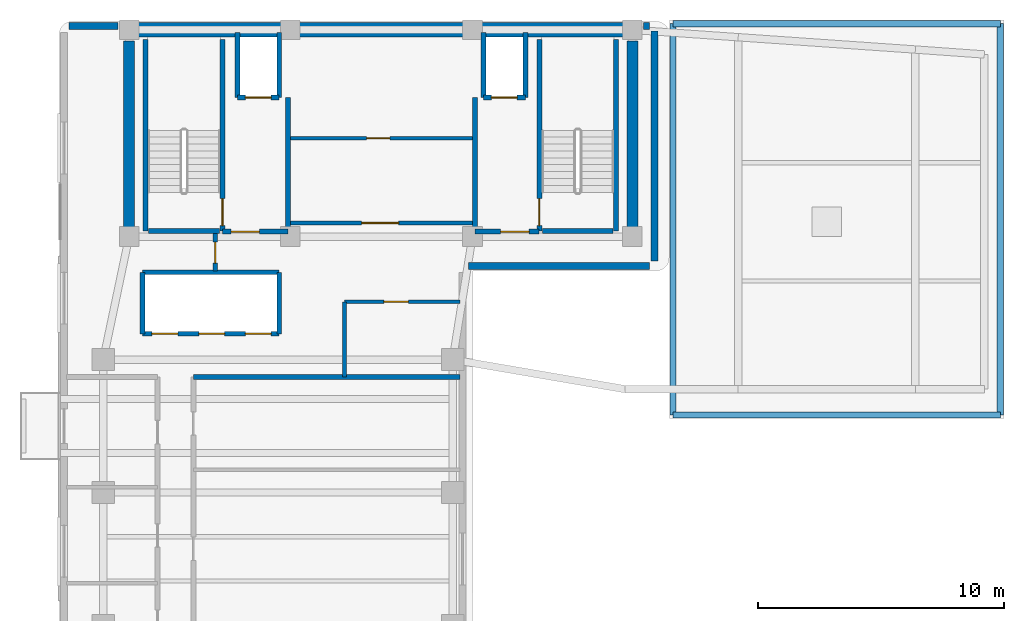
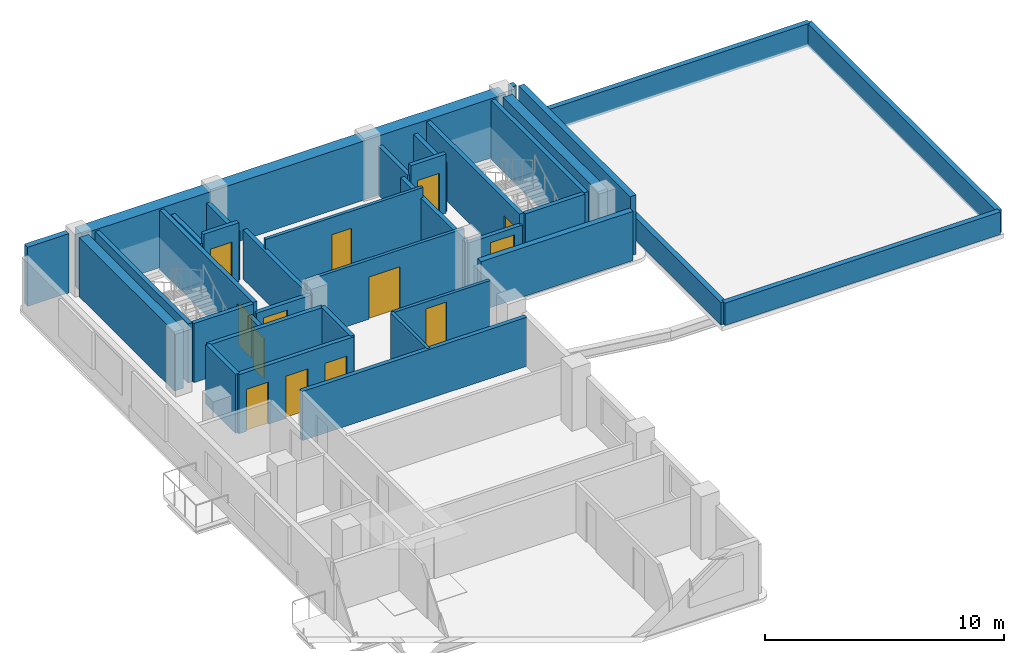
# One storey, part 3 of 6: 37 walls, 13 doors, 13 openings.
"""IFC4 building model written with IfcOpenShell, lengths in metres."""

from ifc_helpers import new_model, si_unit, direction, frame, frame_2d, origin, place, context, subcontext, project, spatial, rectangle, extrude, material, layer, layer_set, type_object, element, fill, save


model = new_model("IFC4")

# Units and contexts
model_context = context("Model", 3, precision=1e-05, world=origin(), true_north=direction((0.0, 1.0)))
body_context = subcontext(model_context, "Body", "Model", "MODEL_VIEW")
ifc_project = project(units=[si_unit("LENGTHUNIT", "METRE"), si_unit("AREAUNIT", "SQUARE_METRE"), si_unit("VOLUMEUNIT", "CUBIC_METRE"), si_unit("PLANEANGLEUNIT", "RADIAN"), si_unit("MASSUNIT", "GRAM", prefix="KILO")], contexts=[model_context])

# Site, building, storey
site_placement = place(None, origin())
site = spatial("IfcSite", under=ifc_project, at=site_placement, CompositionType="ELEMENT")
building_placement = place(site_placement, origin())
building = spatial("IfcBuilding", under=site, at=building_placement, Name="Kuzgunbayir Cultural Tower", CompositionType="ELEMENT")
storey_placement = place(building_placement, frame((0.0, 0.0, 204.800048828125)))
storey = spatial("IfcBuildingStorey", under=building, at=storey_placement, Name="L60", CompositionType="ELEMENT", Elevation=204.800048828125)

# Walls
ifc_material_1 = material(Name="Concrete C50/60", Category="concrete")
ifc_layer_1 = layer(ifc_material_1, 0.449951171875)
ifc_layer_set_1 = layer_set([ifc_layer_1], Name="Concrete C50/60")
wall_type_1 = type_object("IfcWallType", Name="WAL-CORE-450", PredefinedType="SHEAR", material=ifc_layer_set_1)
for number, where, z_axis, x_axis, name in (
    (1, (6.449951171875, 33.800048828125, 0.0), (0.0, 0.0, 1.0), (0.0, 1.0, 0.0), "L60 T1 Core West Shear Wall"),
    (2, (26.89990234375, 33.800048828125, 0.0), (0.0, 0.0, 1.0), (0.0, 1.0, 0.0), "L60 T1 Core East Shear Wall"),
):
    element("IfcWall", number, at=place(storey_placement, frame(where, z_axis=z_axis, x_axis=x_axis)), inside=storey, type_object=wall_type_1, Name=name, PredefinedType="SHEAR", context=body_context, shape_type="SweptSolid", body=[
        extrude(rectangle(XDim=7.949951171875, YDim=0.449951171875, at=frame_2d((3.97509765625, 0.0))), origin(), (0.0, 0.0, 1.0), 3.02001953125),
    ])
ifc_material_2 = material(Name="Concrete C60/75", Category="concrete")
ifc_layer_2 = layer(ifc_material_2, 0.60009765625)
ifc_layer_set_2 = layer_set([ifc_layer_2], Name="Concrete C60/75")
wall_type_2 = type_object("IfcWallType", Name="WAL-CORE-600", PredefinedType="SHEAR", material=ifc_layer_set_2)
wall_1_placement = place(storey_placement, frame((6.449951171875, 42.199951171875, 0.0), z_axis=(0.0, 0.0, 1.0), x_axis=(1.0, 0.0, 0.0)))
element("IfcWall", 3, at=wall_1_placement, inside=storey, type_object=wall_type_2, Name="L60 T1 Core North Shear Wall", PredefinedType="SHEAR", context=body_context, shape_type="SweptSolid", body=[
    extrude(rectangle(XDim=20.449951171875, YDim=0.60009765625, at=frame_2d((10.22509765625, 0.0))), origin(), (0.0, 0.0, 1.0), 3.02001953125),
])
ifc_material_3 = material(Name="Anatolian Cream Limestone", Category="masonry")
ifc_layer_3 = layer(ifc_material_3, 0.280029296875)
ifc_layer_set_3 = layer_set([ifc_layer_3], Name="Anatolian Cream Limestone")
wall_type_3 = type_object("IfcWallType", Name="WAL-EXT-STONE-280", PredefinedType="STANDARD", material=ifc_layer_set_3)
wall_2_placement = place(storey_placement, frame((27.60009765625, 42.35009765625, 0.0), z_axis=(0.0, 0.0, 1.0), x_axis=(-1.0, 0.0, 0.0)))
element("IfcWall", 4, at=wall_2_placement, inside=storey, type_object=wall_type_3, Name="L60 North Wing B Limestone Wall", PredefinedType="STANDARD", context=body_context, shape_type="SweptSolid", body=[
    extrude(rectangle(XDim=0.25, YDim=0.280029296875, at=frame_2d((0.125, 0.0))), origin(), (0.0, 0.0, 1.0), 3.02001953125),
])
wall_3_placement = place(storey_placement, frame((6.0, 42.35009765625, 0.0), z_axis=(0.0, 0.0, 1.0), x_axis=(-1.0, 0.0, 0.0)))
element("IfcWall", 5, at=wall_3_placement, inside=storey, type_object=wall_type_3, Name="L60 Core North-West Spandrel Link", PredefinedType="STANDARD", context=body_context, shape_type="SweptSolid", body=[
    extrude(rectangle(XDim=2.0, YDim=0.280029296875, at=frame_2d((1.0, 0.0))), origin(), (0.0, 0.0, 1.0), 3.02001953125),
])
wall_4_placement = place(storey_placement, frame((27.800048828125, 32.800048828125, 0.0), z_axis=(0.0, 0.0, 1.0), x_axis=(0.0, 1.0, 0.0)))
element("IfcWall", 6, at=wall_4_placement, inside=storey, type_object=wall_type_3, Name="L60 Rear Core East Limestone Wall", PredefinedType="STANDARD", context=body_context, shape_type="SweptSolid", body=[
    extrude(rectangle(XDim=9.349853515625, YDim=0.280029296875, at=frame_2d((4.6748046875, 0.0))), origin(), (0.0, 0.0, 1.0), 3.02001953125),
])
wall_5_placement = place(storey_placement, frame((20.25, 32.60009765625, 0.0), z_axis=(0.0, 0.0, 1.0), x_axis=(1.0, 0.0, 0.0)))
element("IfcWall", 7, at=wall_5_placement, inside=storey, type_object=wall_type_3, Name="L60 Core South Soffit Wall", PredefinedType="STANDARD", context=body_context, shape_type="SweptSolid", body=[
    extrude(rectangle(XDim=7.35009765625, YDim=0.280029296875, at=frame_2d((3.675048828125, 0.0))), origin(), (0.0, 0.0, 1.0), 2.510009765625),
])
ifc_layer_4 = layer(ifc_material_3, 0.25)
ifc_layer_set_4 = layer_set([ifc_layer_4], Name="Anatolian Cream Limestone")
wall_type_4 = type_object("IfcWallType", Name="WAL-PARAPET-STONE-250", PredefinedType="PARAPET", material=ifc_layer_set_4)
wall_6_placement = place(storey_placement, frame((28.550048828125, 26.550048828125, 0.0), z_axis=(0.0, 0.0, 1.0), x_axis=(1.0, 0.0, 0.0)))
element("IfcWall", 8, at=wall_6_placement, inside=storey, type_object=wall_type_4, Name="L60 Limestone Roof Parapet 1", PredefinedType="PARAPET", context=body_context, shape_type="SweptSolid", body=[
    extrude(rectangle(XDim=13.300048828125, YDim=0.25, at=frame_2d((6.64990234375, 0.0))), origin(), (0.0, 0.0, 1.0), 1.14990234375),
])
wall_7_placement = place(storey_placement, frame((41.85009765625, 26.550048828125, 0.0), z_axis=(0.0, 0.0, 1.0), x_axis=(0.0, 1.0, 0.0)))
element("IfcWall", 9, at=wall_7_placement, inside=storey, type_object=wall_type_4, Name="L60 Limestone Roof Parapet 2", PredefinedType="PARAPET", context=body_context, shape_type="SweptSolid", body=[
    extrude(rectangle(XDim=15.89990234375, YDim=0.25, at=frame_2d((7.949951171875, 0.0))), origin(), (0.0, 0.0, 1.0), 1.14990234375),
])
wall_8_placement = place(storey_placement, frame((41.85009765625, 42.449951171875, 0.0), z_axis=(0.0, 0.0, 1.0), x_axis=(-1.0, 0.0, 0.0)))
element("IfcWall", 10, at=wall_8_placement, inside=storey, type_object=wall_type_4, Name="L60 Limestone Roof Parapet 3", PredefinedType="PARAPET", context=body_context, shape_type="SweptSolid", body=[
    extrude(rectangle(XDim=13.300048828125, YDim=0.25, at=frame_2d((6.64990234375, 0.0))), origin(), (0.0, 0.0, 1.0), 1.14990234375),
])
wall_9_placement = place(storey_placement, frame((28.550048828125, 42.449951171875, 0.0), z_axis=(0.0, 0.0, 1.0), x_axis=(0.0, -1.0, 0.0)))
element("IfcWall", 11, at=wall_9_placement, inside=storey, type_object=wall_type_4, Name="L60 Limestone Roof Parapet 4", PredefinedType="PARAPET", context=body_context, shape_type="SweptSolid", body=[
    extrude(rectangle(XDim=15.89990234375, YDim=0.25, at=frame_2d((7.949951171875, 0.0))), origin(), (0.0, 0.0, 1.0), 1.14990234375),
])

# Wall, opening, door
ifc_material_4 = material(Name="Acoustic Double-Stud Drywall", Category="gypsum")
ifc_layer_5 = layer(ifc_material_4, 0.14990234375)
ifc_layer_set_5 = layer_set([ifc_layer_5], Name="Acoustic Double-Stud Drywall")
wall_type_5 = type_object("IfcWallType", Name="WAL-PART-ACOUSTIC-150", PredefinedType="PARTITIONING", material=ifc_layer_set_5)
wall_10_placement = place(storey_placement, frame((12.89990234375, 34.35009765625, 0.0), z_axis=(0.0, 0.0, 1.0), x_axis=(1.0, 0.0, 0.0)))
wall_10 = element("IfcWall", 12, at=wall_10_placement, inside=storey, type_object=wall_type_5, Name="L60 Sky Core South Wall", PredefinedType="PARTITIONING", context=body_context, shape_type="SweptSolid", body=[
    extrude(rectangle(XDim=7.60009765625, YDim=0.14990234375, at=frame_2d((3.800048828125, 0.0))), origin(), (0.0, 0.0, 1.0), 3.02001953125),
])
opening_1_placement = place(wall_10_placement, frame((3.0, 0.0, 0.0)))
opening_1 = element("IfcOpeningElement", 13, at=opening_1_placement, cuts=wall_10, Name="Opening DC-150", PredefinedType="OPENING", context=body_context, shape_type="SweptSolid", body=[
    extrude(rectangle(XDim=1.5, YDim=2.14990234375, at=frame_2d((0.75, 1.074951171875))), frame((0.0, 0.0849609375, 0.0), z_axis=(0.0, -1.0, 0.0), x_axis=(1.0, 0.0, 0.0)), (0.0, 0.0, 1.0), 0.169921875),
])
ifc_material_5 = material(Name="Fire-Rated Veneered Oak Double Leaf", Category="wood")
door_type_1 = type_object("IfcDoorType", Name="DR-CORE-150", OperationType="DOUBLE_DOOR_SINGLE_SWING", PredefinedType="DOOR", material=ifc_material_5)
door_1_placement = place(opening_1_placement, origin())
door_1 = element("IfcDoor", 14, at=door_1_placement, inside=storey, type_object=door_type_1, Name="L60 Sky Conservatory Double Door", OperationType="DOUBLE_DOOR_SINGLE_SWING", OverallHeight=2.14990234375, OverallWidth=1.5, PredefinedType="DOOR", context=body_context, shape_type="SweptSolid", body=[
    extrude(rectangle(XDim=1.5, YDim=2.14990234375, at=frame_2d((0.75, 1.074951171875))), frame((0.0, 0.02490234375, 0.0), z_axis=(0.0, -1.0, 0.0), x_axis=(1.0, 0.0, 0.0)), (0.0, 0.0, 1.0), 0.050048828125),
])
fill(opening_1, door_1)

wall_11_placement = place(storey_placement, frame((12.89990234375, 37.800048828125, 0.0), z_axis=(0.0, 0.0, 1.0), x_axis=(1.0, 0.0, 0.0)))
wall_11 = element("IfcWall", 15, at=wall_11_placement, inside=storey, type_object=wall_type_5, Name="L60 Sky Core Mid Wall", PredefinedType="PARTITIONING", context=body_context, shape_type="SweptSolid", body=[
    extrude(rectangle(XDim=7.60009765625, YDim=0.14990234375, at=frame_2d((3.800048828125, 0.0))), origin(), (0.0, 0.0, 1.0), 3.02001953125),
])
opening_2_placement = place(wall_11_placement, frame((3.199951171875, 0.0, 0.0)))
opening_2 = element("IfcOpeningElement", 16, at=opening_2_placement, cuts=wall_11, Name="Opening DC-95", PredefinedType="OPENING", context=body_context, shape_type="SweptSolid", body=[
    extrude(rectangle(XDim=0.949951171875, YDim=2.14990234375, at=frame_2d((0.47509765625, 1.074951171875))), frame((0.0, 0.0849609375, 0.0), z_axis=(0.0, -1.0, 0.0), x_axis=(1.0, 0.0, 0.0)), (0.0, 0.0, 1.0), 0.169921875),
])
ifc_material_6 = material(Name="Fire-Rated Veneered Oak Leaf", Category="wood")
door_type_2 = type_object("IfcDoorType", Name="DR-CORE-95", OperationType="NOTDEFINED", PredefinedType="DOOR", material=ifc_material_6)
door_2_placement = place(opening_2_placement, origin())
door_2 = element("IfcDoor", 17, at=door_2_placement, inside=storey, type_object=door_type_2, Name="L60 Core Archive Door", OperationType="SINGLE_SWING_RIGHT", OverallHeight=2.14990234375, OverallWidth=0.949951171875, PredefinedType="DOOR", context=body_context, shape_type="SweptSolid", body=[
    extrude(rectangle(XDim=0.949951171875, YDim=2.14990234375, at=frame_2d((0.47509765625, 1.074951171875))), frame((0.0, 0.02490234375, 0.0), z_axis=(0.0, -1.0, 0.0), x_axis=(1.0, 0.0, 0.0)), (0.0, 0.0, 1.0), 0.050048828125),
])
fill(opening_2, door_2)

wall_12_placement = place(storey_placement, frame((15.199951171875, 31.14990234375, 0.0), z_axis=(0.0, 0.0, 1.0), x_axis=(1.0, 0.0, 0.0)))
wall_12 = element("IfcWall", 18, at=wall_12_placement, inside=storey, type_object=wall_type_5, Name="L60 Central Sky Salon North Wall", PredefinedType="PARTITIONING", context=body_context, shape_type="SweptSolid", body=[
    extrude(rectangle(XDim=4.699951171875, YDim=0.14990234375, at=frame_2d((2.35009765625, 0.0))), origin(), (0.0, 0.0, 1.0), 2.510009765625),
])
opening_3_placement = place(wall_12_placement, frame((1.60009765625, 0.0, 0.0)))
opening_3 = element("IfcOpeningElement", 19, at=opening_3_placement, cuts=wall_12, Name="Opening DI-100", PredefinedType="OPENING", context=body_context, shape_type="SweptSolid", body=[
    extrude(rectangle(XDim=1.0, YDim=2.14990234375, at=frame_2d((0.5, 1.074951171875))), frame((0.0, 0.0849609375, 0.0), z_axis=(0.0, -1.0, 0.0), x_axis=(1.0, 0.0, 0.0)), (0.0, 0.0, 1.0), 0.169921875),
])
ifc_material_7 = material(Name="Veneered Oak Single Leaf", Category="wood")
door_type_3 = type_object("IfcDoorType", Name="DR-INT-100", OperationType="NOTDEFINED", PredefinedType="DOOR", material=ifc_material_7)
door_3_placement = place(opening_3_placement, origin())
door_3 = element("IfcDoor", 20, at=door_3_placement, inside=storey, type_object=door_type_3, Name="L60 Central Sky Salon Door", OperationType="SINGLE_SWING_RIGHT", OverallHeight=2.14990234375, OverallWidth=1.0, PredefinedType="DOOR", context=body_context, shape_type="SweptSolid", body=[
    extrude(rectangle(XDim=1.0, YDim=2.14990234375, at=frame_2d((0.5, 1.074951171875))), frame((0.0, 0.02490234375, 0.0), z_axis=(0.0, -1.0, 0.0), x_axis=(1.0, 0.0, 0.0)), (0.0, 0.0, 1.0), 0.050048828125),
])
fill(opening_3, door_3)

# Walls
wall_13_placement = place(storey_placement, frame((15.199951171875, 28.10009765625, 0.0), z_axis=(0.0, 0.0, 1.0), x_axis=(0.0, 1.0, 0.0)))
element("IfcWall", 21, at=wall_13_placement, inside=storey, type_object=wall_type_5, Name="L60 Central Sky Salon West Wall", PredefinedType="PARTITIONING", context=body_context, shape_type="SweptSolid", body=[
    extrude(rectangle(XDim=3.0498046875, YDim=0.14990234375, at=frame_2d((1.52490234375, 0.0))), origin(), (0.0, 0.0, 1.0), 2.510009765625),
])
ifc_material_8 = material(Name="Aerated Concrete Blockwork", Category="masonry")
ifc_layer_6 = layer(ifc_material_8, 0.199951171875)
ifc_layer_set_6 = layer_set([ifc_layer_6], Name="Aerated Concrete Blockwork")
wall_type_6 = type_object("IfcWallType", Name="WAL-PART-FIRE-200", PredefinedType="PARTITIONING", material=ifc_layer_set_6)
wall_14_placement = place(storey_placement, frame((12.89990234375, 34.0, 0.0), z_axis=(0.0, 0.0, 1.0), x_axis=(0.0, 1.0, 0.0)))
element("IfcWall", 22, at=wall_14_placement, inside=storey, type_object=wall_type_6, Name="L60 FFL-1 Lobby East Fire Wall", PredefinedType="PARTITIONING", context=body_context, shape_type="SweptSolid", body=[
    extrude(rectangle(XDim=5.449951171875, YDim=0.199951171875, at=frame_2d((2.72509765625, 0.0))), origin(), (0.0, 0.0, 1.0), 2.510009765625),
])

# Wall, opening, door
wall_15_placement = place(storey_placement, frame((10.239990234375, 34.0, 0.0), z_axis=(0.0, 0.0, 1.0), x_axis=(1.0, 0.0, 0.0)))
wall_15 = element("IfcWall", 23, at=wall_15_placement, inside=storey, type_object=wall_type_6, Name="L60 FFL-1 Lobby South Fire Wall", PredefinedType="PARTITIONING", context=body_context, shape_type="SweptSolid", body=[
    extrude(rectangle(XDim=2.659912109375, YDim=0.199951171875, at=frame_2d((1.330078125, 0.0))), origin(), (0.0, 0.0, 1.0), 2.510009765625),
])
opening_4_placement = place(wall_15_placement, frame((0.35009765625, 0.0, 0.0)))
opening_4 = element("IfcOpeningElement", 24, at=opening_4_placement, cuts=wall_15, Name="Opening DR-FFL-90", PredefinedType="OPENING", context=body_context, shape_type="SweptSolid", body=[
    extrude(rectangle(XDim=1.14990234375, YDim=2.14990234375, at=frame_2d((0.574951171875, 1.074951171875))), frame((0.0, 0.10986328125, 0.0), z_axis=(0.0, -1.0, 0.0), x_axis=(1.0, 0.0, 0.0)), (0.0, 0.0, 1.0), 0.219970703125),
])
ifc_material_9 = material(Name="Steel S355J2", Category="steel")
door_type_4 = type_object("IfcDoorType", Name="DR-FFL-90", OperationType="NOTDEFINED", PredefinedType="DOOR", material=ifc_material_9)
door_4_placement = place(opening_4_placement, origin())
door_4 = element("IfcDoor", 25, at=door_4_placement, inside=storey, type_object=door_type_4, Name="L60 Firefighting Lobby 1 Door", OperationType="SINGLE_SWING_LEFT", OverallHeight=2.14990234375, OverallWidth=1.14990234375, PredefinedType="DOOR", context=body_context, shape_type="SweptSolid", body=[
    extrude(rectangle(XDim=1.14990234375, YDim=2.14990234375, at=frame_2d((0.574951171875, 1.074951171875))), frame((0.0, 0.02490234375, 0.0), z_axis=(0.0, -1.0, 0.0), x_axis=(1.0, 0.0, 0.0)), (0.0, 0.0, 1.0), 0.050048828125),
])
fill(opening_4, door_4)

# Wall
wall_16_placement = place(storey_placement, frame((20.5, 34.0, 0.0), z_axis=(0.0, 0.0, 1.0), x_axis=(0.0, 1.0, 0.0)))
element("IfcWall", 26, at=wall_16_placement, inside=storey, type_object=wall_type_6, Name="L60 FFL-2 Lobby West Fire Wall", PredefinedType="PARTITIONING", context=body_context, shape_type="SweptSolid", body=[
    extrude(rectangle(XDim=5.449951171875, YDim=0.199951171875, at=frame_2d((2.72509765625, 0.0))), origin(), (0.0, 0.0, 1.0), 2.510009765625),
])

# Wall, opening, door
wall_17_placement = place(storey_placement, frame((20.5, 34.0, 0.0), z_axis=(0.0, 0.0, 1.0), x_axis=(1.0, 0.0, 0.0)))
wall_17 = element("IfcWall", 27, at=wall_17_placement, inside=storey, type_object=wall_type_6, Name="L60 FFL-2 Lobby South Fire Wall", PredefinedType="PARTITIONING", context=body_context, shape_type="SweptSolid", body=[
    extrude(rectangle(XDim=2.60009765625, YDim=0.199951171875, at=frame_2d((1.300048828125, 0.0))), origin(), (0.0, 0.0, 1.0), 2.510009765625),
])
opening_5_placement = place(wall_17_placement, frame((1.050048828125, 0.0, 0.0)))
opening_5 = element("IfcOpeningElement", 28, at=opening_5_placement, cuts=wall_17, Name="Opening DR-FFL-90", PredefinedType="OPENING", context=body_context, shape_type="SweptSolid", body=[
    extrude(rectangle(XDim=1.14990234375, YDim=2.14990234375, at=frame_2d((0.574951171875, 1.074951171875))), frame((0.0, 0.10986328125, 0.0), z_axis=(0.0, -1.0, 0.0), x_axis=(1.0, 0.0, 0.0)), (0.0, 0.0, 1.0), 0.219970703125),
])
door_5_placement = place(opening_5_placement, origin())
door_5 = element("IfcDoor", 29, at=door_5_placement, inside=storey, type_object=door_type_4, Name="L60 Firefighting Lobby 2 Door", OperationType="SINGLE_SWING_RIGHT", OverallHeight=2.14990234375, OverallWidth=1.14990234375, PredefinedType="DOOR", context=body_context, shape_type="SweptSolid", body=[
    extrude(rectangle(XDim=1.14990234375, YDim=2.14990234375, at=frame_2d((0.574951171875, 1.074951171875))), frame((0.0, 0.02490234375, 0.0), z_axis=(0.0, -1.0, 0.0), x_axis=(1.0, 0.0, 0.0)), (0.0, 0.0, 1.0), 0.050048828125),
])
fill(opening_5, door_5)

wall_18_placement = place(storey_placement, frame((9.949951171875, 32.39990234375, 0.0), z_axis=(0.0, 0.0, 1.0), x_axis=(0.0, 1.0, 0.0)))
wall_18 = element("IfcWall", 30, at=wall_18_placement, inside=storey, type_object=wall_type_6, Name="L60 West Core Service Closet Wall", PredefinedType="PARTITIONING", context=body_context, shape_type="SweptSolid", body=[
    extrude(rectangle(XDim=1.52001953125, YDim=0.199951171875, at=frame_2d((0.760009765625, 0.0))), origin(), (0.0, 0.0, 1.0), 2.510009765625),
])
opening_6_placement = place(wall_18_placement, frame((0.320068359375, 0.0, 0.0)))
opening_6 = element("IfcOpeningElement", 31, at=opening_6_placement, cuts=wall_18, Name="Opening DR-RSR-60", PredefinedType="OPENING", context=body_context, shape_type="SweptSolid", body=[
    extrude(rectangle(XDim=0.85009765625, YDim=2.050048828125, at=frame_2d((0.425048828125, 1.02490234375))), frame((0.0, 0.10986328125, 0.0), z_axis=(0.0, -1.0, 0.0), x_axis=(1.0, 0.0, 0.0)), (0.0, 0.0, 1.0), 0.219970703125),
])
ifc_material_10 = material(Name="Steel Access Leaf", Category="steel")
door_type_5 = type_object("IfcDoorType", Name="DR-RISER-60", OperationType="NOTDEFINED", PredefinedType="DOOR", material=ifc_material_10)
door_6_placement = place(opening_6_placement, origin())
door_6 = element("IfcDoor", 32, at=door_6_placement, inside=storey, type_object=door_type_5, Name="L60 Cleaner Utility Store Door", OperationType="SINGLE_SWING_LEFT", OverallHeight=2.050048828125, OverallWidth=0.85009765625, PredefinedType="DOOR", context=body_context, shape_type="SweptSolid", body=[
    extrude(rectangle(XDim=0.85009765625, YDim=2.050048828125, at=frame_2d((0.425048828125, 1.02490234375))), frame((0.0, 0.02490234375, 0.0), z_axis=(0.0, -1.0, 0.0), x_axis=(1.0, 0.0, 0.0)), (0.0, 0.0, 1.0), 0.050048828125),
])
fill(opening_6, door_6)

# Wall
wall_19_placement = place(storey_placement, frame((9.06005859375, 28.10009765625, 0.0), z_axis=(0.0, 0.0, 1.0), x_axis=(1.0, 0.0, 0.0)))
element("IfcWall", 33, at=wall_19_placement, inside=storey, type_object=wall_type_6, Name="L60 North East Partition", PredefinedType="PARTITIONING", context=body_context, shape_type="SweptSolid", body=[
    extrude(rectangle(XDim=10.83984375, YDim=0.199951171875, at=frame_2d((5.419921875, 0.0))), origin(), (0.0, 0.0, 1.0), 2.510009765625),
])

# Wall, openings, doors
ifc_material_11 = material(Name="Concrete C40/50", Category="concrete")
ifc_layer_7 = layer(ifc_material_11, 0.199951171875)
ifc_layer_set_7 = layer_set([ifc_layer_7], Name="Concrete C40/50")
wall_type_7 = type_object("IfcWallType", Name="WAL-SHAFT-200", PredefinedType="MOVABLE", material=ifc_layer_set_7)
wall_20_placement = place(storey_placement, frame((7.0, 29.85009765625, 0.0), z_axis=(0.0, 0.0, 1.0), x_axis=(1.0, 0.0, 0.0)))
wall_20 = element("IfcWall", 34, at=wall_20_placement, inside=storey, type_object=wall_type_7, Name="L60 High-Rise Lift Shaft South Wall", PredefinedType="MOVABLE", context=body_context, shape_type="SweptSolid", body=[
    extrude(rectangle(XDim=5.550048828125, YDim=0.199951171875, at=frame_2d((2.77490234375, 0.0))), origin(), (0.0, 0.0, 1.0), 3.02001953125),
])
opening_7_placement = place(wall_20_placement, frame((0.3798828125, 0.0, 0.0)))
opening_7 = element("IfcOpeningElement", 35, at=opening_7_placement, cuts=wall_20, Name="Opening LD", PredefinedType="OPENING", context=body_context, shape_type="SweptSolid", body=[
    extrude(rectangle(XDim=1.050048828125, YDim=2.14990234375, at=frame_2d((0.52490234375, 1.074951171875))), frame((0.0, 0.10986328125, 0.0), z_axis=(0.0, -1.0, 0.0), x_axis=(1.0, 0.0, 0.0)), (0.0, 0.0, 1.0), 0.219970703125),
])
opening_8_placement = place(wall_20_placement, frame((2.280029296875, 0.0, 0.0)))
opening_8 = element("IfcOpeningElement", 36, at=opening_8_placement, cuts=wall_20, Name="Opening LD", PredefinedType="OPENING", context=body_context, shape_type="SweptSolid", body=[
    extrude(rectangle(XDim=1.050048828125, YDim=2.14990234375, at=frame_2d((0.52490234375, 1.074951171875))), frame((0.0, 0.10986328125, 0.0), z_axis=(0.0, -1.0, 0.0), x_axis=(1.0, 0.0, 0.0)), (0.0, 0.0, 1.0), 0.219970703125),
])
opening_9_placement = place(wall_20_placement, frame((4.169921875, 0.0, 0.0)))
opening_9 = element("IfcOpeningElement", 37, at=opening_9_placement, cuts=wall_20, Name="Opening LD", PredefinedType="OPENING", context=body_context, shape_type="SweptSolid", body=[
    extrude(rectangle(XDim=1.050048828125, YDim=2.14990234375, at=frame_2d((0.52490234375, 1.074951171875))), frame((0.0, 0.10986328125, 0.0), z_axis=(0.0, -1.0, 0.0), x_axis=(1.0, 0.0, 0.0)), (0.0, 0.0, 1.0), 0.219970703125),
])
ifc_material_12 = material(Name="Brushed Stainless Steel", Category="steel")
door_type_6 = type_object("IfcDoorType", Name="DR-LIFT-LANDING", OperationType="SLIDING_TO_LEFT", PredefinedType="DOOR", material=ifc_material_12)
door_7_placement = place(opening_7_placement, origin())
door_7 = element("IfcDoor", 38, at=door_7_placement, inside=storey, type_object=door_type_6, Name="L60 Lift PH-1 Landing Door", OperationType="SLIDING_TO_LEFT", OverallHeight=2.14990234375, OverallWidth=1.050048828125, PredefinedType="DOOR", context=body_context, shape_type="SweptSolid", body=[
    extrude(rectangle(XDim=1.050048828125, YDim=2.14990234375, at=frame_2d((0.52490234375, 1.074951171875))), frame((0.0, 0.02490234375, 0.0), z_axis=(0.0, -1.0, 0.0), x_axis=(1.0, 0.0, 0.0)), (0.0, 0.0, 1.0), 0.050048828125),
])
fill(opening_7, door_7)
door_8_placement = place(opening_8_placement, origin())
door_8 = element("IfcDoor", 39, at=door_8_placement, inside=storey, type_object=door_type_6, Name="L60 Lift PH-2 Landing Door", OperationType="SLIDING_TO_LEFT", OverallHeight=2.14990234375, OverallWidth=1.050048828125, PredefinedType="DOOR", context=body_context, shape_type="SweptSolid", body=[
    extrude(rectangle(XDim=1.050048828125, YDim=2.14990234375, at=frame_2d((0.52490234375, 1.074951171875))), frame((0.0, 0.02490234375, 0.0), z_axis=(0.0, -1.0, 0.0), x_axis=(1.0, 0.0, 0.0)), (0.0, 0.0, 1.0), 0.050048828125),
])
fill(opening_8, door_8)
door_9_placement = place(opening_9_placement, origin())
door_9 = element("IfcDoor", 40, at=door_9_placement, inside=storey, type_object=door_type_6, Name="L60 Lift PH-3 Landing Door", OperationType="SLIDING_TO_LEFT", OverallHeight=2.14990234375, OverallWidth=1.050048828125, PredefinedType="DOOR", context=body_context, shape_type="SweptSolid", body=[
    extrude(rectangle(XDim=1.050048828125, YDim=2.14990234375, at=frame_2d((0.52490234375, 1.074951171875))), frame((0.0, 0.02490234375, 0.0), z_axis=(0.0, -1.0, 0.0), x_axis=(1.0, 0.0, 0.0)), (0.0, 0.0, 1.0), 0.050048828125),
])
fill(opening_9, door_9)

# Walls
wall_21_placement = place(storey_placement, frame((7.0, 32.35009765625, 0.0), z_axis=(0.0, 0.0, 1.0), x_axis=(1.0, 0.0, 0.0)))
element("IfcWall", 41, at=wall_21_placement, inside=storey, type_object=wall_type_7, Name="L60 High-Rise Lift Shaft North Wall", PredefinedType="MOVABLE", context=body_context, shape_type="SweptSolid", body=[
    extrude(rectangle(XDim=5.550048828125, YDim=0.199951171875, at=frame_2d((2.77490234375, 0.0))), origin(), (0.0, 0.0, 1.0), 3.02001953125),
])
for number, where, z_axis, x_axis, name in (
    (42, (7.0, 29.85009765625, 0.0), (0.0, 0.0, 1.0), (0.0, 1.0, 0.0), "L60 High-Rise Lift Shaft West Wall"),
    (43, (12.550048828125, 29.85009765625, 0.0), (0.0, 0.0, 1.0), (0.0, 1.0, 0.0), "L60 High-Rise Lift Shaft East Wall"),
):
    element("IfcWall", number, at=place(storey_placement, frame(where, z_axis=z_axis, x_axis=x_axis)), inside=storey, type_object=wall_type_7, Name=name, PredefinedType="MOVABLE", context=body_context, shape_type="SweptSolid", body=[
        extrude(rectangle(XDim=2.5, YDim=0.199951171875, at=frame_2d((1.25, 0.0))), origin(), (0.0, 0.0, 1.0), 3.02001953125),
    ])

# Wall, opening, door
wall_22_placement = place(storey_placement, frame((10.85009765625, 39.449951171875, 0.0), z_axis=(0.0, 0.0, 1.0), x_axis=(1.0, 0.0, 0.0)))
wall_22 = element("IfcWall", 44, at=wall_22_placement, inside=storey, type_object=wall_type_7, Name="L60 FFL-1 Lift Front Wall", PredefinedType="MOVABLE", context=body_context, shape_type="SweptSolid", body=[
    extrude(rectangle(XDim=1.699951171875, YDim=0.199951171875, at=frame_2d((0.85009765625, 0.0))), origin(), (0.0, 0.0, 1.0), 3.02001953125),
])
opening_10_placement = place(wall_22_placement, frame((0.320068359375, 0.0, 0.0)))
opening_10 = element("IfcOpeningElement", 45, at=opening_10_placement, cuts=wall_22, Name="Opening LD", PredefinedType="OPENING", context=body_context, shape_type="SweptSolid", body=[
    extrude(rectangle(XDim=1.050048828125, YDim=2.14990234375, at=frame_2d((0.52490234375, 1.074951171875))), frame((0.0, 0.10986328125, 0.0), z_axis=(0.0, -1.0, 0.0), x_axis=(1.0, 0.0, 0.0)), (0.0, 0.0, 1.0), 0.219970703125),
])
door_10_placement = place(opening_10_placement, origin())
door_10 = element("IfcDoor", 46, at=door_10_placement, inside=storey, type_object=door_type_6, Name="L60 Lift FFL-1 Landing Door", OperationType="SLIDING_TO_LEFT", OverallHeight=2.14990234375, OverallWidth=1.050048828125, PredefinedType="DOOR", context=body_context, shape_type="SweptSolid", body=[
    extrude(rectangle(XDim=1.050048828125, YDim=2.14990234375, at=frame_2d((0.52490234375, 1.074951171875))), frame((0.0, 0.02490234375, 0.0), z_axis=(0.0, -1.0, 0.0), x_axis=(1.0, 0.0, 0.0)), (0.0, 0.0, 1.0), 0.050048828125),
])
fill(opening_10, door_10)

wall_23_placement = place(storey_placement, frame((20.85009765625, 39.449951171875, 0.0), z_axis=(0.0, 0.0, 1.0), x_axis=(1.0, 0.0, 0.0)))
wall_23 = element("IfcWall", 47, at=wall_23_placement, inside=storey, type_object=wall_type_7, Name="L60 FFL-2 Lift Front Wall", PredefinedType="MOVABLE", context=body_context, shape_type="SweptSolid", body=[
    extrude(rectangle(XDim=1.699951171875, YDim=0.199951171875, at=frame_2d((0.85009765625, 0.0))), origin(), (0.0, 0.0, 1.0), 3.02001953125),
])
opening_11_placement = place(wall_23_placement, frame((0.320068359375, 0.0, 0.0)))
opening_11 = element("IfcOpeningElement", 48, at=opening_11_placement, cuts=wall_23, Name="Opening LD", PredefinedType="OPENING", context=body_context, shape_type="SweptSolid", body=[
    extrude(rectangle(XDim=1.050048828125, YDim=2.14990234375, at=frame_2d((0.52490234375, 1.074951171875))), frame((0.0, 0.10986328125, 0.0), z_axis=(0.0, -1.0, 0.0), x_axis=(1.0, 0.0, 0.0)), (0.0, 0.0, 1.0), 0.219970703125),
])
door_11_placement = place(opening_11_placement, origin())
door_11 = element("IfcDoor", 49, at=door_11_placement, inside=storey, type_object=door_type_6, Name="L60 Lift FFL-2 Landing Door", OperationType="SLIDING_TO_LEFT", OverallHeight=2.14990234375, OverallWidth=1.050048828125, PredefinedType="DOOR", context=body_context, shape_type="SweptSolid", body=[
    extrude(rectangle(XDim=1.050048828125, YDim=2.14990234375, at=frame_2d((0.52490234375, 1.074951171875))), frame((0.0, 0.02490234375, 0.0), z_axis=(0.0, -1.0, 0.0), x_axis=(1.0, 0.0, 0.0)), (0.0, 0.0, 1.0), 0.050048828125),
])
fill(opening_11, door_11)

# Walls
for number, where, z_axis, x_axis, name in (
    (50, (10.85009765625, 39.449951171875, 0.0), (0.0, 0.0, 1.0), (0.0, 1.0, 0.0), "L60 FFL-1 Shaft West Wall"),
    (51, (12.550048828125, 39.449951171875, 0.0), (0.0, 0.0, 1.0), (0.0, 1.0, 0.0), "L60 FFL-1 Shaft East Wall"),
    (52, (20.85009765625, 39.449951171875, 0.0), (0.0, 0.0, 1.0), (0.0, 1.0, 0.0), "L60 FFL-2 Shaft West Wall"),
    (53, (22.550048828125, 39.449951171875, 0.0), (0.0, 0.0, 1.0), (0.0, 1.0, 0.0), "L60 FFL-2 Shaft East Wall"),
):
    element("IfcWall", number, at=place(storey_placement, frame(where, z_axis=z_axis, x_axis=x_axis)), inside=storey, type_object=wall_type_7, Name=name, PredefinedType="MOVABLE", context=body_context, shape_type="SweptSolid", body=[
        extrude(rectangle(XDim=2.650146484375, YDim=0.199951171875, at=frame_2d((1.3251953125, 0.0))), origin(), (0.0, 0.0, 1.0), 2.510009765625),
    ])
ifc_layer_8 = layer(ifc_material_11, 0.199951171875)
ifc_layer_set_8 = layer_set([ifc_layer_8], Name="Concrete C40/50")
wall_type_8 = type_object("IfcWallType", Name="WAL-STAIR-RC-200", PredefinedType="SHEAR", material=ifc_layer_set_8)
wall_24_placement = place(storey_placement, frame((7.1201171875, 34.02001953125, 0.0), z_axis=(0.0, 0.0, 1.0), x_axis=(0.0, 1.0, 0.0)))
element("IfcWall", 54, at=wall_24_placement, inside=storey, type_object=wall_type_8, Name="L60 Stair ST-1 West Structural Wall", PredefinedType="SHEAR", context=body_context, shape_type="SweptSolid", body=[
    extrude(rectangle(XDim=7.780029296875, YDim=0.199951171875, at=frame_2d((3.89013671875, 0.0))), origin(), (0.0, 0.0, 1.0), 3.02001953125),
])

# Wall, opening, door
wall_25_placement = place(storey_placement, frame((10.239990234375, 34.02001953125, 0.0), z_axis=(0.0, 0.0, 1.0), x_axis=(0.0, 1.0, 0.0)))
wall_25 = element("IfcWall", 55, at=wall_25_placement, inside=storey, type_object=wall_type_8, Name="L60 Stair ST-1 East Structural Wall", PredefinedType="SHEAR", context=body_context, shape_type="SweptSolid", body=[
    extrude(rectangle(XDim=7.780029296875, YDim=0.199951171875, at=frame_2d((3.89013671875, 0.0))), origin(), (0.0, 0.0, 1.0), 3.02001953125),
])
opening_12_placement = place(wall_25_placement, frame((0.219970703125, 0.0, 0.0)))
opening_12 = element("IfcOpeningElement", 56, at=opening_12_placement, cuts=wall_25, Name="Opening DR-STAIR-90", PredefinedType="OPENING", context=body_context, shape_type="SweptSolid", body=[
    extrude(rectangle(XDim=1.10009765625, YDim=2.14990234375, at=frame_2d((0.550048828125, 1.074951171875))), frame((0.0, 0.10986328125, 0.0), z_axis=(0.0, -1.0, 0.0), x_axis=(1.0, 0.0, 0.0)), (0.0, 0.0, 1.0), 0.219970703125),
])
door_type_7 = type_object("IfcDoorType", Name="DR-STAIR-90", OperationType="NOTDEFINED", PredefinedType="DOOR", material=ifc_material_9)
door_12_placement = place(opening_12_placement, origin())
door_12 = element("IfcDoor", 57, at=door_12_placement, inside=storey, type_object=door_type_7, Name="L60 Stair ST-1 Fire Door", OperationType="SINGLE_SWING_RIGHT", OverallHeight=2.14990234375, OverallWidth=1.10009765625, PredefinedType="DOOR", context=body_context, shape_type="SweptSolid", body=[
    extrude(rectangle(XDim=1.10009765625, YDim=2.14990234375, at=frame_2d((0.550048828125, 1.074951171875))), frame((0.0, 0.02490234375, 0.0), z_axis=(0.0, -1.0, 0.0), x_axis=(1.0, 0.0, 0.0)), (0.0, 0.0, 1.0), 0.050048828125),
])
fill(opening_12, door_12)

# Wall
wall_26_placement = place(storey_placement, frame((7.239990234375, 34.02001953125, 0.0), z_axis=(0.0, 0.0, 1.0), x_axis=(1.0, 0.0, 0.0)))
element("IfcWall", 58, at=wall_26_placement, inside=storey, type_object=wall_type_8, Name="L60 Stair ST-1 South Structural Wall", PredefinedType="SHEAR", context=body_context, shape_type="SweptSolid", body=[
    extrude(rectangle(XDim=2.880126953125, YDim=0.199951171875, at=frame_2d((1.43994140625, 0.0))), origin(), (0.0, 0.0, 1.0), 3.02001953125),
])

# Wall, opening, door
wall_27_placement = place(storey_placement, frame((23.1201171875, 34.02001953125, 0.0), z_axis=(0.0, 0.0, 1.0), x_axis=(0.0, 1.0, 0.0)))
wall_27 = element("IfcWall", 59, at=wall_27_placement, inside=storey, type_object=wall_type_8, Name="L60 Stair ST-2 West Structural Wall", PredefinedType="SHEAR", context=body_context, shape_type="SweptSolid", body=[
    extrude(rectangle(XDim=7.780029296875, YDim=0.199951171875, at=frame_2d((3.89013671875, 0.0))), origin(), (0.0, 0.0, 1.0), 3.02001953125),
])
opening_13_placement = place(wall_27_placement, frame((0.219970703125, 0.0, 0.0)))
opening_13 = element("IfcOpeningElement", 60, at=opening_13_placement, cuts=wall_27, Name="Opening DR-STAIR-90", PredefinedType="OPENING", context=body_context, shape_type="SweptSolid", body=[
    extrude(rectangle(XDim=1.10009765625, YDim=2.14990234375, at=frame_2d((0.550048828125, 1.074951171875))), frame((0.0, 0.10986328125, 0.0), z_axis=(0.0, -1.0, 0.0), x_axis=(1.0, 0.0, 0.0)), (0.0, 0.0, 1.0), 0.219970703125),
])
door_13_placement = place(opening_13_placement, origin())
door_13 = element("IfcDoor", 61, at=door_13_placement, inside=storey, type_object=door_type_7, Name="L60 Stair ST-2 Fire Door", OperationType="SINGLE_SWING_RIGHT", OverallHeight=2.14990234375, OverallWidth=1.10009765625, PredefinedType="DOOR", context=body_context, shape_type="SweptSolid", body=[
    extrude(rectangle(XDim=1.10009765625, YDim=2.14990234375, at=frame_2d((0.550048828125, 1.074951171875))), frame((0.0, 0.02490234375, 0.0), z_axis=(0.0, -1.0, 0.0), x_axis=(1.0, 0.0, 0.0)), (0.0, 0.0, 1.0), 0.050048828125),
])
fill(opening_13, door_13)

# Walls
wall_28_placement = place(storey_placement, frame((26.239990234375, 34.02001953125, 0.0), z_axis=(0.0, 0.0, 1.0), x_axis=(0.0, 1.0, 0.0)))
element("IfcWall", 62, at=wall_28_placement, inside=storey, type_object=wall_type_8, Name="L60 Stair ST-2 East Structural Wall", PredefinedType="SHEAR", context=body_context, shape_type="SweptSolid", body=[
    extrude(rectangle(XDim=7.780029296875, YDim=0.199951171875, at=frame_2d((3.89013671875, 0.0))), origin(), (0.0, 0.0, 1.0), 3.02001953125),
])
wall_29_placement = place(storey_placement, frame((23.239990234375, 34.02001953125, 0.0), z_axis=(0.0, 0.0, 1.0), x_axis=(1.0, 0.0, 0.0)))
element("IfcWall", 63, at=wall_29_placement, inside=storey, type_object=wall_type_8, Name="L60 Stair ST-2 South Structural Wall", PredefinedType="SHEAR", context=body_context, shape_type="SweptSolid", body=[
    extrude(rectangle(XDim=2.880126953125, YDim=0.199951171875, at=frame_2d((1.43994140625, 0.0))), origin(), (0.0, 0.0, 1.0), 3.02001953125),
])

save(model, "model.ifc")
